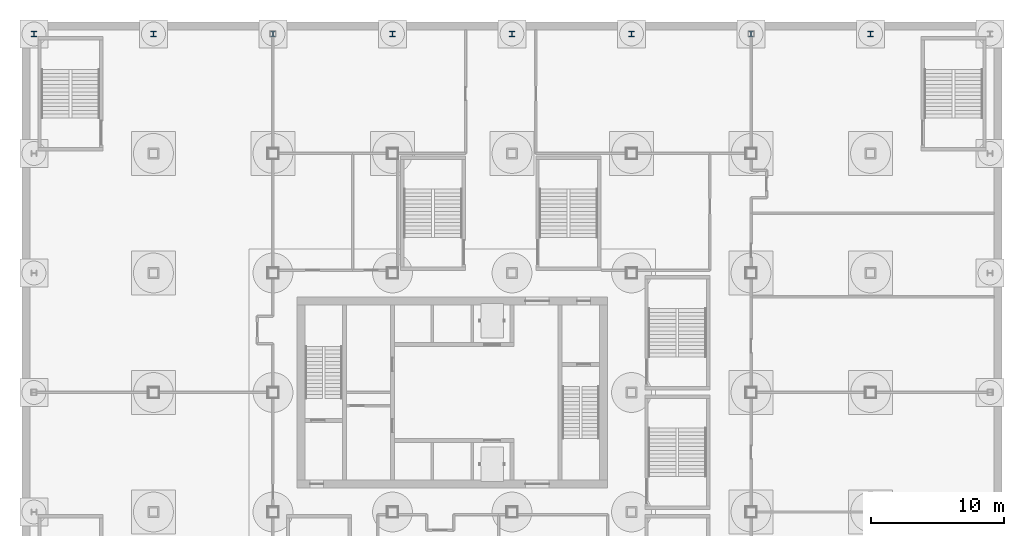
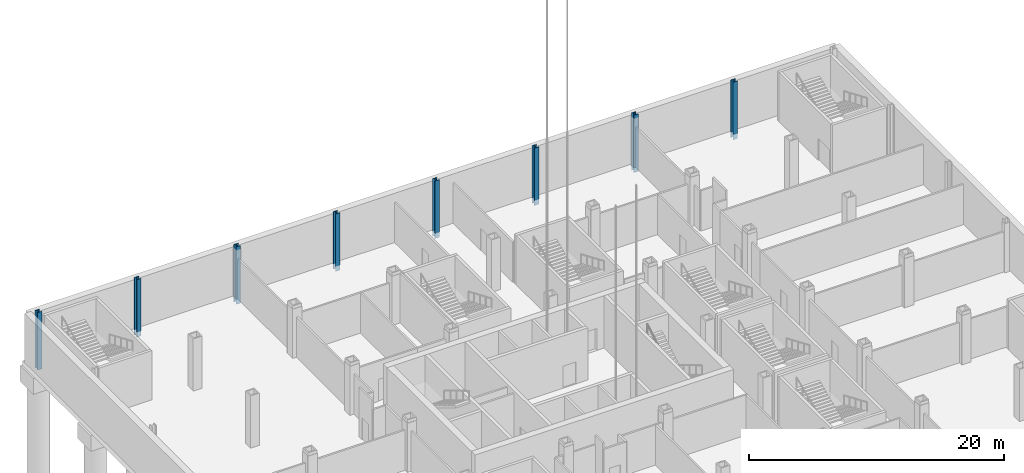
# One storey, part 5 of 28: 8 columns.
"""IFC4 building model written with IfcOpenShell, lengths in metres."""

from ifc_helpers import new_model, si_unit, direction, frame, origin, origin_2d, place, context, subcontext, project, spatial, i_section, extrude, material, material_profile, profile_set, type_object, element, save


model = new_model("IFC4")

# Units and contexts
model_context = context("Model", 3, precision=1e-05, world=origin(), true_north=direction((0.0, 1.0)))
body_context = subcontext(model_context, "Body", "Model", "MODEL_VIEW")
ifc_project = project(units=[si_unit("LENGTHUNIT", "METRE"), si_unit("AREAUNIT", "SQUARE_METRE"), si_unit("VOLUMEUNIT", "CUBIC_METRE"), si_unit("PLANEANGLEUNIT", "RADIAN"), si_unit("MASSUNIT", "GRAM", prefix="KILO")], contexts=[model_context])

# Site, building, storey
site_placement = place(None, origin())
site = spatial("IfcSite", under=ifc_project, at=site_placement, CompositionType="ELEMENT")
building_placement = place(site_placement, origin())
building = spatial("IfcBuilding", under=site, at=building_placement, Name="Loomwork Tower", CompositionType="ELEMENT")
storey_placement = place(building_placement, frame((0.0, 0.0, -10.5)))
storey = spatial("IfcBuildingStorey", under=building, at=storey_placement, Name="B2", CompositionType="ELEMENT", Elevation=-10.5)

# Columns
ifc_material = material(Name="Steel ASTM A992", Category="steel")
ifc_material_profile = material_profile(ifc_material, i_section(OverallWidth=0.4013671875, OverallDepth=0.398681640625, WebThickness=0.02490234375, FlangeThickness=0.03955078125, at=origin_2d()), Name="W14x211")
ifc_profile_set = profile_set([ifc_material_profile], Name="Steel ASTM A992")
column_type = type_object("IfcColumnType", Name="PODIUM COLUMN W14x211", PredefinedType="COLUMN", material=ifc_profile_set)
for number, where, z_axis, x_axis, name in (
    (1, (-9.0, 45.0, -0.5), (0.0, 0.0, 1.0), (1.0, 0.0, 0.0), "Podium Column J/1 B2"),
    (2, (0.0, 45.0, -0.5), (0.0, 0.0, 1.0), (1.0, 0.0, 0.0), "Podium Column J/2 B2"),
    (3, (9.0, 45.0, -0.5), (0.0, 0.0, 1.0), (1.0, 0.0, 0.0), "Podium Column J/3 B2"),
    (4, (18.0, 45.0, -0.5), (0.0, 0.0, 1.0), (1.0, 0.0, 0.0), "Podium Column J/4 B2"),
    (5, (27.0, 45.0, -0.5), (0.0, 0.0, 1.0), (1.0, 0.0, 0.0), "Podium Column J/5 B2"),
    (6, (36.0, 45.0, -0.5), (0.0, 0.0, 1.0), (1.0, 0.0, 0.0), "Podium Column J/6 B2"),
    (7, (45.0, 45.0, -0.5), (0.0, 0.0, 1.0), (1.0, 0.0, 0.0), "Podium Column J/7 B2"),
    (8, (54.0, 45.0, -0.5), (0.0, 0.0, 1.0), (1.0, 0.0, 0.0), "Podium Column J/8 B2"),
):
    element("IfcColumn", number, at=place(storey_placement, frame(where, z_axis=z_axis, x_axis=x_axis)), inside=storey, type_object=column_type, Name=name, PredefinedType="COLUMN", context=body_context, shape_type="SweptSolid", body=[
        extrude(i_section(OverallWidth=0.4013671875, OverallDepth=0.398681640625, WebThickness=0.02490234375, FlangeThickness=0.03955078125, at=origin_2d()), origin(), (0.0, 0.0, 1.0), 5.5),
    ])

save(model, "model.ifc")
